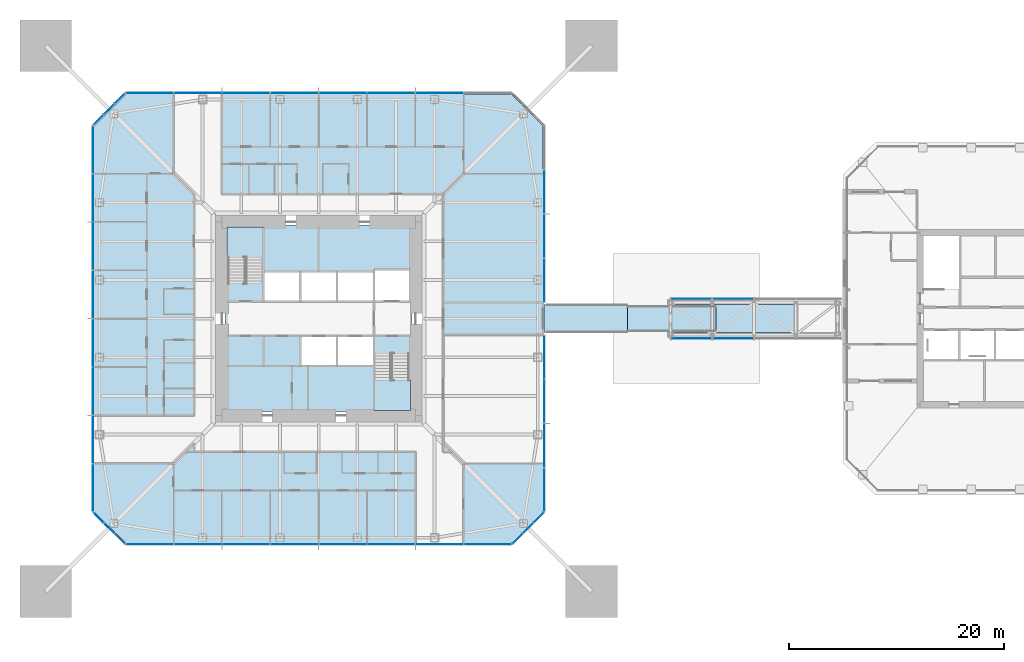
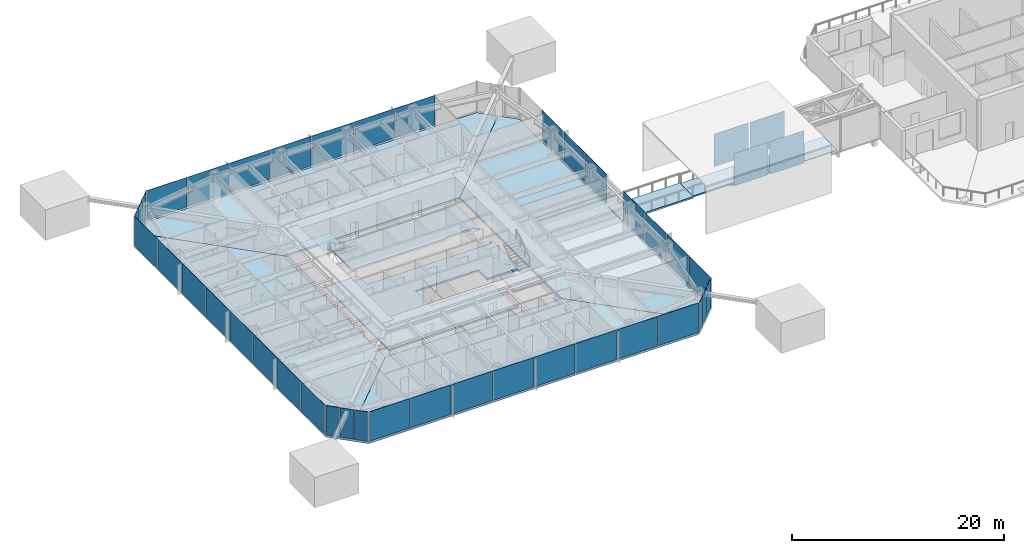
# One storey, part 10 of 23: 43 plates, 11 slabs, 14 elements without a shape of their own.
"""IFC4 building model written with IfcOpenShell, lengths in metres."""

from ifc_helpers import new_model, si_unit, direction, frame, origin, origin_2d, place, context, subcontext, project, spatial, polyline, rectangle, outline, extrude, material, layer, layer_set, constituent, constituent_set, type_object, element, aggregate, save


model = new_model("IFC4")

# Units and contexts
model_context = context("Model", 3, precision=1e-05, world=origin(), true_north=direction((0.0, 1.0)))
body_context = subcontext(model_context, "Body", "Model", "MODEL_VIEW")
ifc_project = project(units=[si_unit("LENGTHUNIT", "METRE"), si_unit("AREAUNIT", "SQUARE_METRE"), si_unit("VOLUMEUNIT", "CUBIC_METRE"), si_unit("PLANEANGLEUNIT", "RADIAN"), si_unit("MASSUNIT", "GRAM", prefix="KILO")], contexts=[model_context])

# Site, building, storey
site_placement = place(None, origin())
site = spatial("IfcSite", under=ifc_project, at=site_placement, CompositionType="ELEMENT")
building_placement = place(site_placement, origin())
building = spatial("IfcBuilding", under=site, at=building_placement, Name="Iwan Alto Co-Living Towers", CompositionType="ELEMENT")
storey_placement = place(building_placement, frame((0.0, 0.0, 129.5)))
storey = spatial("IfcBuildingStorey", under=building, at=storey_placement, Name="L35", CompositionType="ELEMENT", Elevation=129.5)

# Slabs
ifc_material_1 = material(Name="Steel ASTM A36", Category="steel")
ifc_layer_1 = layer(ifc_material_1, 0.050048828125)
ifc_layer_set_1 = layer_set([ifc_layer_1], Name="BRIDGE DECK RECESS PLATE 50")
slab_type_1 = type_object("IfcSlabType", Name="BRIDGE DECK RECESS PLATE 50", PredefinedType="FLOOR", material=ifc_layer_set_1)
slab_1_placement = place(storey_placement, frame((0.0, 0.0, -0.199951171875)))
element("IfcSlab", 1, at=slab_1_placement, inside=storey, type_object=slab_type_1, Name="Skybridge BR2 deck recess under the gangway", PredefinedType="FLOOR", context=body_context, shape_type="SweptSolid", body=[
    extrude(outline(polyline([(32.75, -1.300048828125), (44.41259765625, -1.300048828125), (44.41259765625, 1.300048828125), (32.75, 1.300048828125), (32.75, -1.300048828125)])), origin(), (0.0, 0.0, 1.0), 0.050048828125),
])
ifc_material_2 = material(Name="Steel ASTM A36 chequer plate", Category="steel")
ifc_layer_2 = layer(ifc_material_2, 0.010009765625, Name="Chequer plate finish", Category="Finish")
ifc_material_3 = material(Name="Steel ASTM A36", Category="steel")
ifc_layer_3 = layer(ifc_material_3, 0.139892578125, Name="Orthotropic plate deck", Category="LoadBearing")
ifc_layer_set_2 = layer_set([ifc_layer_2, ifc_layer_3], Name="BRIDGE JOINT GANGWAY 150")
slab_type_2 = type_object("IfcSlabType", Name="BRIDGE JOINT GANGWAY 150", PredefinedType="FLOOR", material=ifc_layer_set_2)
slab_2_placement = place(storey_placement, frame((0.0, 0.0, -0.14990234375)))
element("IfcSlab", 2, at=slab_2_placement, inside=storey, type_object=slab_type_2, Name="Skybridge BR2 joint gangway", PredefinedType="FLOOR", context=body_context, shape_type="SweptSolid", body=[
    extrude(outline(polyline([(28.75, -1.199951171875), (37.0, -1.199951171875), (37.0, 1.199951171875), (28.75, 1.199951171875), (28.75, -1.199951171875)])), origin(), (0.0, 0.0, 1.0), 0.14990234375),
])
ifc_material_4 = material(Name="Concrete f'c 30 MPa", Category="concrete")
ifc_layer_4 = layer(ifc_material_4, 0.199951171875)
ifc_layer_set_3 = layer_set([ifc_layer_4], Name="BRIDGE LANDING SLAB 200")
slab_type_3 = type_object("IfcSlabType", Name="BRIDGE LANDING SLAB 200", PredefinedType="FLOOR", material=ifc_layer_set_3)
slab_3_placement = place(storey_placement, frame((0.0, 0.0, -0.199951171875)))
element("IfcSlab", 3, at=slab_3_placement, inside=storey, type_object=slab_type_3, Name="Skybridge BR2 walkway and landing", PredefinedType="FLOOR", context=body_context, shape_type="SweptSolid", body=[
    extrude(outline(polyline([(21.0, -1.300048828125), (28.75, -1.300048828125), (28.75, 1.300048828125), (21.0, 1.300048828125), (21.0, -1.300048828125)])), origin(), (0.0, 0.0, 1.0), 0.199951171875),
])
ifc_material_5 = material(Name="Concrete f'c 30 MPa", Category="concrete")
ifc_layer_5 = layer(ifc_material_5, 0.199951171875)
ifc_layer_set_4 = layer_set([ifc_layer_5], Name="CORE FLOOR SLAB 200")
slab_type_4 = type_object("IfcSlabType", Name="CORE FLOOR SLAB 200", PredefinedType="FLOOR", material=ifc_layer_set_4)
slab_4_placement = place(storey_placement, frame((0.0, 0.0, -0.199951171875)))
element("IfcSlab", 4, at=slab_4_placement, inside=storey, type_object=slab_type_4, Name="T1 core floor L35", PredefinedType="FLOOR", context=body_context, shape_type="SweptSolid", body=[
    extrude(outline(polyline([(5.14990234375, -1.60009765625), (1.72509765625, -1.60009765625), (-1.699951171875, -1.60009765625), (-1.699951171875, -4.39990234375), (1.72509765625, -4.39990234375), (5.14990234375, -4.39990234375), (5.14990234375, -8.39990234375), (5.4599609375, -8.39990234375), (5.4599609375, -8.699951171875), (-8.699951171875, -8.699951171875), (-8.699951171875, 3.580078125), (-8.39990234375, 3.580078125), (-8.39990234375, 3.27001953125), (-5.14990234375, 3.27001953125), (-5.14990234375, 1.60009765625), (-1.717041015625, 1.60009765625), (1.717041015625, 1.60009765625), (5.14990234375, 1.60009765625), (8.39990234375, 1.60009765625), (8.39990234375, 1.909912109375), (8.699951171875, 1.909912109375), (8.699951171875, -3.580078125), (8.39990234375, -3.580078125), (8.39990234375, -3.27001953125), (5.14990234375, -3.27001953125), (5.14990234375, -1.60009765625)])), origin(), (0.0, 0.0, 1.0), 0.199951171875),
])
slab_5_placement = place(storey_placement, frame((0.0, 0.0, -0.199951171875)))
element("IfcSlab", 5, at=slab_5_placement, inside=storey, type_object=slab_type_4, Name="T1 core floor L35", PredefinedType="FLOOR", context=body_context, shape_type="SweptSolid", body=[
    extrude(outline(polyline([(1.717041015625, 4.39990234375), (-1.717041015625, 4.39990234375), (-5.14990234375, 4.39990234375), (-5.14990234375, 8.39990234375), (-5.4599609375, 8.39990234375), (-5.4599609375, 8.699951171875), (8.699951171875, 8.699951171875), (8.699951171875, 4.2900390625), (8.39990234375, 4.2900390625), (8.39990234375, 4.60009765625), (5.14990234375, 4.60009765625), (5.14990234375, 4.39990234375), (1.717041015625, 4.39990234375)])), origin(), (0.0, 0.0, 1.0), 0.199951171875),
])

# Curtain wall, plates
ifc_material_6 = material(Name="Bronze aluminium unitised frame", Category="aluminium")
curtain_wall_type_1 = type_object("IfcCurtainWallType", Name="CURTAIN WALL CW-A", PredefinedType="NOTDEFINED", material=ifc_material_6)
curtain_wall_1_placement = place(storey_placement, origin())
curtain_wall_1 = element("IfcCurtainWall", 6, at=curtain_wall_1_placement, inside=storey, type_object=curtain_wall_type_1, Name="T1 curtain wall S L35", PredefinedType="NOTDEFINED")
ifc_material_7 = material(Name="Bronze-tinted insulating glass", Category="glass")
ifc_layer_6 = layer(ifc_material_7, 0.031982421875)
ifc_layer_set_5 = layer_set([ifc_layer_6], Name="CW-A PANEL TINTED IGU 32")
plate_type_1 = type_object("IfcPlateType", Name="CW-A PANEL TINTED IGU 32", PredefinedType="CURTAIN_PANEL", material=ifc_layer_set_5)
plate_1_placement = place(storey_placement, frame((-15.72998046875, -21.0, 0.10009765625), z_axis=(0.0, 0.0, 1.0), x_axis=(1.0, 0.0, 0.0)))
plate_1 = element("IfcPlate", 7, at=plate_1_placement, type_object=plate_type_1, Name="CW-A panel 1.1", PredefinedType="CURTAIN_PANEL", context=body_context, shape_type="SweptSolid", body=[
    extrude(rectangle(XDim=4.3798828125, YDim=0.031982421875, at=origin_2d()), origin(), (0.0, 0.0, 1.0), 3.39990234375),
])
plate_2_placement = place(storey_placement, frame((-11.25, -21.0, 0.10009765625), z_axis=(0.0, 0.0, 1.0), x_axis=(1.0, 0.0, 0.0)))
plate_2 = element("IfcPlate", 8, at=plate_2_placement, type_object=plate_type_1, Name="CW-A panel 2.1", PredefinedType="CURTAIN_PANEL", context=body_context, shape_type="SweptSolid", body=[
    extrude(rectangle(XDim=4.419921875, YDim=0.031982421875, at=origin_2d()), origin(), (0.0, 0.0, 1.0), 3.39990234375),
])
plate_3_placement = place(storey_placement, frame((-6.75, -21.0, 0.10009765625), z_axis=(0.0, 0.0, 1.0), x_axis=(1.0, 0.0, 0.0)))
plate_3 = element("IfcPlate", 9, at=plate_3_placement, type_object=plate_type_1, Name="CW-A panel 3.1", PredefinedType="CURTAIN_PANEL", context=body_context, shape_type="SweptSolid", body=[
    extrude(rectangle(XDim=4.419921875, YDim=0.031982421875, at=origin_2d()), origin(), (0.0, 0.0, 1.0), 3.39990234375),
])
plate_4_placement = place(storey_placement, frame((-2.25, -21.0, 0.10009765625), z_axis=(0.0, 0.0, 1.0), x_axis=(1.0, 0.0, 0.0)))
plate_4 = element("IfcPlate", 10, at=plate_4_placement, type_object=plate_type_1, Name="CW-A panel 4.1", PredefinedType="CURTAIN_PANEL", context=body_context, shape_type="SweptSolid", body=[
    extrude(rectangle(XDim=4.419921875, YDim=0.031982421875, at=origin_2d()), origin(), (0.0, 0.0, 1.0), 3.39990234375),
])
plate_5_placement = place(storey_placement, frame((2.25, -21.0, 0.10009765625), z_axis=(0.0, 0.0, 1.0), x_axis=(1.0, 0.0, 0.0)))
plate_5 = element("IfcPlate", 11, at=plate_5_placement, type_object=plate_type_1, Name="CW-A panel 5.1", PredefinedType="CURTAIN_PANEL", context=body_context, shape_type="SweptSolid", body=[
    extrude(rectangle(XDim=4.419921875, YDim=0.031982421875, at=origin_2d()), origin(), (0.0, 0.0, 1.0), 3.39990234375),
])
plate_6_placement = place(storey_placement, frame((6.75, -21.0, 0.10009765625), z_axis=(0.0, 0.0, 1.0), x_axis=(1.0, 0.0, 0.0)))
plate_6 = element("IfcPlate", 12, at=plate_6_placement, type_object=plate_type_1, Name="CW-A panel 6.1", PredefinedType="CURTAIN_PANEL", context=body_context, shape_type="SweptSolid", body=[
    extrude(rectangle(XDim=4.419921875, YDim=0.031982421875, at=origin_2d()), origin(), (0.0, 0.0, 1.0), 3.39990234375),
])
plate_7_placement = place(storey_placement, frame((11.25, -21.0, 0.10009765625), z_axis=(0.0, 0.0, 1.0), x_axis=(1.0, 0.0, 0.0)))
plate_7 = element("IfcPlate", 13, at=plate_7_placement, type_object=plate_type_1, Name="CW-A panel 7.1", PredefinedType="CURTAIN_PANEL", context=body_context, shape_type="SweptSolid", body=[
    extrude(rectangle(XDim=4.419921875, YDim=0.031982421875, at=origin_2d()), origin(), (0.0, 0.0, 1.0), 3.39990234375),
])
plate_8_placement = place(storey_placement, frame((15.72998046875, -21.0, 0.10009765625), z_axis=(0.0, 0.0, 1.0), x_axis=(1.0, 0.0, 0.0)))
plate_8 = element("IfcPlate", 14, at=plate_8_placement, type_object=plate_type_1, Name="CW-A panel 8.1", PredefinedType="CURTAIN_PANEL", context=body_context, shape_type="SweptSolid", body=[
    extrude(rectangle(XDim=4.3798828125, YDim=0.031982421875, at=origin_2d()), origin(), (0.0, 0.0, 1.0), 3.39990234375),
])
aggregate(curtain_wall_1, [plate_1, plate_2, plate_3, plate_4, plate_5, plate_6, plate_7, plate_8])

curtain_wall_2_placement = place(storey_placement, origin())
curtain_wall_2 = element("IfcCurtainWall", 15, at=curtain_wall_2_placement, inside=storey, type_object=curtain_wall_type_1, Name="T1 curtain wall E L35 part 1", PredefinedType="NOTDEFINED")
plate_9_placement = place(storey_placement, frame((21.0, -15.91748046875, 0.10009765625), z_axis=(0.0, 0.0, 1.0), x_axis=(0.0, 1.0, 0.0)))
plate_9 = element("IfcPlate", 16, at=plate_9_placement, type_object=plate_type_1, Name="CW-A panel 1.1", PredefinedType="CURTAIN_PANEL", context=body_context, shape_type="SweptSolid", body=[
    extrude(rectangle(XDim=4.0048828125, YDim=0.031982421875, at=origin_2d()), origin(), (0.0, 0.0, 1.0), 3.39990234375),
])
plate_10_placement = place(storey_placement, frame((21.0, -11.8125, 0.10009765625), z_axis=(0.0, 0.0, 1.0), x_axis=(0.0, 1.0, 0.0)))
plate_10 = element("IfcPlate", 17, at=plate_10_placement, type_object=plate_type_1, Name="CW-A panel 2.1", PredefinedType="CURTAIN_PANEL", context=body_context, shape_type="SweptSolid", body=[
    extrude(rectangle(XDim=4.044921875, YDim=0.031982421875, at=origin_2d()), origin(), (0.0, 0.0, 1.0), 3.39990234375),
])
plate_11_placement = place(storey_placement, frame((21.0, -7.6875, 0.10009765625), z_axis=(0.0, 0.0, 1.0), x_axis=(0.0, 1.0, 0.0)))
plate_11 = element("IfcPlate", 18, at=plate_11_placement, type_object=plate_type_1, Name="CW-A panel 3.1", PredefinedType="CURTAIN_PANEL", context=body_context, shape_type="SweptSolid", body=[
    extrude(rectangle(XDim=4.044921875, YDim=0.031982421875, at=origin_2d()), origin(), (0.0, 0.0, 1.0), 3.39990234375),
])
plate_12_placement = place(storey_placement, frame((21.0, -3.58251953125, 0.10009765625), z_axis=(0.0, 0.0, 1.0), x_axis=(0.0, 1.0, 0.0)))
plate_12 = element("IfcPlate", 19, at=plate_12_placement, type_object=plate_type_1, Name="CW-A panel 4.1", PredefinedType="CURTAIN_PANEL", context=body_context, shape_type="SweptSolid", body=[
    extrude(rectangle(XDim=4.0048828125, YDim=0.031982421875, at=origin_2d()), origin(), (0.0, 0.0, 1.0), 3.39990234375),
])
aggregate(curtain_wall_2, [plate_9, plate_10, plate_11, plate_12])

curtain_wall_3_placement = place(storey_placement, origin())
curtain_wall_3 = element("IfcCurtainWall", 20, at=curtain_wall_3_placement, inside=storey, type_object=curtain_wall_type_1, Name="T1 curtain wall E L35 part 2", PredefinedType="NOTDEFINED")
plate_13_placement = place(storey_placement, frame((21.0, 3.58251953125, 0.10009765625), z_axis=(0.0, 0.0, 1.0), x_axis=(0.0, 1.0, 0.0)))
plate_13 = element("IfcPlate", 21, at=plate_13_placement, type_object=plate_type_1, Name="CW-A panel 1.1", PredefinedType="CURTAIN_PANEL", context=body_context, shape_type="SweptSolid", body=[
    extrude(rectangle(XDim=4.0048828125, YDim=0.031982421875, at=origin_2d()), origin(), (0.0, 0.0, 1.0), 3.39990234375),
])
plate_14_placement = place(storey_placement, frame((21.0, 7.6875, 0.10009765625), z_axis=(0.0, 0.0, 1.0), x_axis=(0.0, 1.0, 0.0)))
plate_14 = element("IfcPlate", 22, at=plate_14_placement, type_object=plate_type_1, Name="CW-A panel 2.1", PredefinedType="CURTAIN_PANEL", context=body_context, shape_type="SweptSolid", body=[
    extrude(rectangle(XDim=4.044921875, YDim=0.031982421875, at=origin_2d()), origin(), (0.0, 0.0, 1.0), 3.39990234375),
])
plate_15_placement = place(storey_placement, frame((21.0, 11.8125, 0.10009765625), z_axis=(0.0, 0.0, 1.0), x_axis=(0.0, 1.0, 0.0)))
plate_15 = element("IfcPlate", 23, at=plate_15_placement, type_object=plate_type_1, Name="CW-A panel 3.1", PredefinedType="CURTAIN_PANEL", context=body_context, shape_type="SweptSolid", body=[
    extrude(rectangle(XDim=4.044921875, YDim=0.031982421875, at=origin_2d()), origin(), (0.0, 0.0, 1.0), 3.39990234375),
])
aggregate(curtain_wall_3, [plate_13, plate_14, plate_15])

curtain_wall_4_placement = place(storey_placement, origin())
curtain_wall_4 = element("IfcCurtainWall", 24, at=curtain_wall_4_placement, inside=storey, type_object=curtain_wall_type_1, Name="T1 curtain wall N L35", PredefinedType="NOTDEFINED")
plate_16_placement = place(storey_placement, frame((11.25, 21.0, 0.10009765625), z_axis=(0.0, 0.0, 1.0), x_axis=(-1.0, 0.0, 0.0)))
plate_16 = element("IfcPlate", 25, at=plate_16_placement, type_object=plate_type_1, Name="CW-A panel 2.1", PredefinedType="CURTAIN_PANEL", context=body_context, shape_type="SweptSolid", body=[
    extrude(rectangle(XDim=4.419921875, YDim=0.031982421875, at=origin_2d()), origin(), (0.0, 0.0, 1.0), 3.39990234375),
])
plate_17_placement = place(storey_placement, frame((6.75, 21.0, 0.10009765625), z_axis=(0.0, 0.0, 1.0), x_axis=(-1.0, 0.0, 0.0)))
plate_17 = element("IfcPlate", 26, at=plate_17_placement, type_object=plate_type_1, Name="CW-A panel 3.1", PredefinedType="CURTAIN_PANEL", context=body_context, shape_type="SweptSolid", body=[
    extrude(rectangle(XDim=4.419921875, YDim=0.031982421875, at=origin_2d()), origin(), (0.0, 0.0, 1.0), 3.39990234375),
])
plate_18_placement = place(storey_placement, frame((2.25, 21.0, 0.10009765625), z_axis=(0.0, 0.0, 1.0), x_axis=(-1.0, 0.0, 0.0)))
plate_18 = element("IfcPlate", 27, at=plate_18_placement, type_object=plate_type_1, Name="CW-A panel 4.1", PredefinedType="CURTAIN_PANEL", context=body_context, shape_type="SweptSolid", body=[
    extrude(rectangle(XDim=4.419921875, YDim=0.031982421875, at=origin_2d()), origin(), (0.0, 0.0, 1.0), 3.39990234375),
])
plate_19_placement = place(storey_placement, frame((-2.25, 21.0, 0.10009765625), z_axis=(0.0, 0.0, 1.0), x_axis=(-1.0, 0.0, 0.0)))
plate_19 = element("IfcPlate", 28, at=plate_19_placement, type_object=plate_type_1, Name="CW-A panel 5.1", PredefinedType="CURTAIN_PANEL", context=body_context, shape_type="SweptSolid", body=[
    extrude(rectangle(XDim=4.419921875, YDim=0.031982421875, at=origin_2d()), origin(), (0.0, 0.0, 1.0), 3.39990234375),
])
plate_20_placement = place(storey_placement, frame((-6.75, 21.0, 0.10009765625), z_axis=(0.0, 0.0, 1.0), x_axis=(-1.0, 0.0, 0.0)))
plate_20 = element("IfcPlate", 29, at=plate_20_placement, type_object=plate_type_1, Name="CW-A panel 6.1", PredefinedType="CURTAIN_PANEL", context=body_context, shape_type="SweptSolid", body=[
    extrude(rectangle(XDim=4.419921875, YDim=0.031982421875, at=origin_2d()), origin(), (0.0, 0.0, 1.0), 3.39990234375),
])
plate_21_placement = place(storey_placement, frame((-11.25, 21.0, 0.10009765625), z_axis=(0.0, 0.0, 1.0), x_axis=(-1.0, 0.0, 0.0)))
plate_21 = element("IfcPlate", 30, at=plate_21_placement, type_object=plate_type_1, Name="CW-A panel 7.1", PredefinedType="CURTAIN_PANEL", context=body_context, shape_type="SweptSolid", body=[
    extrude(rectangle(XDim=4.419921875, YDim=0.031982421875, at=origin_2d()), origin(), (0.0, 0.0, 1.0), 3.39990234375),
])
plate_22_placement = place(storey_placement, frame((-15.72998046875, 21.0, 0.10009765625), z_axis=(0.0, 0.0, 1.0), x_axis=(-1.0, 0.0, 0.0)))
plate_22 = element("IfcPlate", 31, at=plate_22_placement, type_object=plate_type_1, Name="CW-A panel 8.1", PredefinedType="CURTAIN_PANEL", context=body_context, shape_type="SweptSolid", body=[
    extrude(rectangle(XDim=4.3798828125, YDim=0.031982421875, at=origin_2d()), origin(), (0.0, 0.0, 1.0), 3.39990234375),
])
aggregate(curtain_wall_4, [plate_16, plate_17, plate_18, plate_19, plate_20, plate_21, plate_22])

curtain_wall_5_placement = place(storey_placement, origin())
curtain_wall_5 = element("IfcCurtainWall", 32, at=curtain_wall_5_placement, inside=storey, type_object=curtain_wall_type_1, Name="T1 curtain wall W L35", PredefinedType="NOTDEFINED")
plate_23_placement = place(storey_placement, frame((-21.0, 15.72998046875, 0.10009765625), z_axis=(0.0, 0.0, 1.0), x_axis=(0.0, -1.0, 0.0)))
plate_23 = element("IfcPlate", 33, at=plate_23_placement, type_object=plate_type_1, Name="CW-A panel 1.1", PredefinedType="CURTAIN_PANEL", context=body_context, shape_type="SweptSolid", body=[
    extrude(rectangle(XDim=4.3798828125, YDim=0.031982421875, at=origin_2d()), origin(), (0.0, 0.0, 1.0), 3.39990234375),
])
plate_24_placement = place(storey_placement, frame((-21.0, 11.25, 0.10009765625), z_axis=(0.0, 0.0, 1.0), x_axis=(0.0, -1.0, 0.0)))
plate_24 = element("IfcPlate", 34, at=plate_24_placement, type_object=plate_type_1, Name="CW-A panel 2.1", PredefinedType="CURTAIN_PANEL", context=body_context, shape_type="SweptSolid", body=[
    extrude(rectangle(XDim=4.419921875, YDim=0.031982421875, at=origin_2d()), origin(), (0.0, 0.0, 1.0), 3.39990234375),
])
plate_25_placement = place(storey_placement, frame((-21.0, 6.75, 0.10009765625), z_axis=(0.0, 0.0, 1.0), x_axis=(0.0, -1.0, 0.0)))
plate_25 = element("IfcPlate", 35, at=plate_25_placement, type_object=plate_type_1, Name="CW-A panel 3.1", PredefinedType="CURTAIN_PANEL", context=body_context, shape_type="SweptSolid", body=[
    extrude(rectangle(XDim=4.419921875, YDim=0.031982421875, at=origin_2d()), origin(), (0.0, 0.0, 1.0), 3.39990234375),
])
plate_26_placement = place(storey_placement, frame((-21.0, 2.25, 0.10009765625), z_axis=(0.0, 0.0, 1.0), x_axis=(0.0, -1.0, 0.0)))
plate_26 = element("IfcPlate", 36, at=plate_26_placement, type_object=plate_type_1, Name="CW-A panel 4.1", PredefinedType="CURTAIN_PANEL", context=body_context, shape_type="SweptSolid", body=[
    extrude(rectangle(XDim=4.419921875, YDim=0.031982421875, at=origin_2d()), origin(), (0.0, 0.0, 1.0), 3.39990234375),
])
plate_27_placement = place(storey_placement, frame((-21.0, -2.25, 0.10009765625), z_axis=(0.0, 0.0, 1.0), x_axis=(0.0, -1.0, 0.0)))
plate_27 = element("IfcPlate", 37, at=plate_27_placement, type_object=plate_type_1, Name="CW-A panel 5.1", PredefinedType="CURTAIN_PANEL", context=body_context, shape_type="SweptSolid", body=[
    extrude(rectangle(XDim=4.419921875, YDim=0.031982421875, at=origin_2d()), origin(), (0.0, 0.0, 1.0), 3.39990234375),
])
plate_28_placement = place(storey_placement, frame((-21.0, -6.75, 0.10009765625), z_axis=(0.0, 0.0, 1.0), x_axis=(0.0, -1.0, 0.0)))
plate_28 = element("IfcPlate", 38, at=plate_28_placement, type_object=plate_type_1, Name="CW-A panel 6.1", PredefinedType="CURTAIN_PANEL", context=body_context, shape_type="SweptSolid", body=[
    extrude(rectangle(XDim=4.419921875, YDim=0.031982421875, at=origin_2d()), origin(), (0.0, 0.0, 1.0), 3.39990234375),
])
plate_29_placement = place(storey_placement, frame((-21.0, -11.25, 0.10009765625), z_axis=(0.0, 0.0, 1.0), x_axis=(0.0, -1.0, 0.0)))
plate_29 = element("IfcPlate", 39, at=plate_29_placement, type_object=plate_type_1, Name="CW-A panel 7.1", PredefinedType="CURTAIN_PANEL", context=body_context, shape_type="SweptSolid", body=[
    extrude(rectangle(XDim=4.419921875, YDim=0.031982421875, at=origin_2d()), origin(), (0.0, 0.0, 1.0), 3.39990234375),
])
plate_30_placement = place(storey_placement, frame((-21.0, -15.72998046875, 0.10009765625), z_axis=(0.0, 0.0, 1.0), x_axis=(0.0, -1.0, 0.0)))
plate_30 = element("IfcPlate", 40, at=plate_30_placement, type_object=plate_type_1, Name="CW-A panel 8.1", PredefinedType="CURTAIN_PANEL", context=body_context, shape_type="SweptSolid", body=[
    extrude(rectangle(XDim=4.3798828125, YDim=0.031982421875, at=origin_2d()), origin(), (0.0, 0.0, 1.0), 3.39990234375),
])
aggregate(curtain_wall_5, [plate_23, plate_24, plate_25, plate_26, plate_27, plate_28, plate_29, plate_30])

ifc_material_8 = material(Name="Bronze aluminium unitised frame", Category="aluminium")
curtain_wall_type_2 = type_object("IfcCurtainWallType", Name="CURTAIN WALL CW-B", PredefinedType="NOTDEFINED", material=ifc_material_8)
curtain_wall_6_placement = place(storey_placement, origin())
curtain_wall_6 = element("IfcCurtainWall", 41, at=curtain_wall_6_placement, inside=storey, type_object=curtain_wall_type_2, Name="T1 chamfer curtain wall SE L35", PredefinedType="NOTDEFINED")
ifc_material_9 = material(Name="Bronze-tinted insulating glass", Category="glass")
ifc_layer_7 = layer(ifc_material_9, 0.031982421875)
ifc_layer_set_6 = layer_set([ifc_layer_7], Name="CW-B PANEL TINTED IGU 32")
plate_type_2 = type_object("IfcPlateType", Name="CW-B PANEL TINTED IGU 32", PredefinedType="CURTAIN_PANEL", material=ifc_layer_set_6)
plate_31_placement = place(storey_placement, frame((18.51416015625, -20.48583984375, 0.10009765625), z_axis=(0.0, 0.0, 1.0), x_axis=(0.707106781187, 0.707106781187, 0.0)))
plate_31 = element("IfcPlate", 42, at=plate_31_placement, type_object=plate_type_2, Name="CW-B panel 1.1", PredefinedType="CURTAIN_PANEL", context=body_context, shape_type="SweptSolid", body=[
    extrude(rectangle(XDim=1.294189453125, YDim=0.031982421875, at=origin_2d()), origin(), (0.0, 0.0, 1.0), 3.39990234375),
])
plate_32_placement = place(storey_placement, frame((19.5, -19.5, 0.10009765625), z_axis=(0.0, 0.0, 1.0), x_axis=(0.707106781187, 0.707106781187, 0.0)))
plate_32 = element("IfcPlate", 43, at=plate_32_placement, type_object=plate_type_2, Name="CW-B panel 2.1", PredefinedType="CURTAIN_PANEL", context=body_context, shape_type="SweptSolid", body=[
    extrude(rectangle(XDim=1.334228515625, YDim=0.031982421875, at=origin_2d()), origin(), (0.0, 0.0, 1.0), 3.39990234375),
])
plate_33_placement = place(storey_placement, frame((20.48583984375, -18.51416015625, 0.10009765625), z_axis=(0.0, 0.0, 1.0), x_axis=(0.707106781187, 0.707106781187, 0.0)))
plate_33 = element("IfcPlate", 44, at=plate_33_placement, type_object=plate_type_2, Name="CW-B panel 3.1", PredefinedType="CURTAIN_PANEL", context=body_context, shape_type="SweptSolid", body=[
    extrude(rectangle(XDim=1.294189453125, YDim=0.031982421875, at=origin_2d()), origin(), (0.0, 0.0, 1.0), 3.39990234375),
])
aggregate(curtain_wall_6, [plate_31, plate_32, plate_33])

curtain_wall_7_placement = place(storey_placement, origin())
curtain_wall_7 = element("IfcCurtainWall", 45, at=curtain_wall_7_placement, inside=storey, type_object=curtain_wall_type_2, Name="T1 chamfer curtain wall NW L35", PredefinedType="NOTDEFINED")
plate_34_placement = place(storey_placement, frame((-18.51416015625, 20.48583984375, 0.10009765625), z_axis=(0.0, 0.0, 1.0), x_axis=(-0.707106781187, -0.707106781187, 0.0)))
plate_34 = element("IfcPlate", 46, at=plate_34_placement, type_object=plate_type_2, Name="CW-B panel 1.1", PredefinedType="CURTAIN_PANEL", context=body_context, shape_type="SweptSolid", body=[
    extrude(rectangle(XDim=1.294189453125, YDim=0.031982421875, at=origin_2d()), origin(), (0.0, 0.0, 1.0), 3.39990234375),
])
plate_35_placement = place(storey_placement, frame((-19.5, 19.5, 0.10009765625), z_axis=(0.0, 0.0, 1.0), x_axis=(-0.707106781187, -0.707106781187, 0.0)))
plate_35 = element("IfcPlate", 47, at=plate_35_placement, type_object=plate_type_2, Name="CW-B panel 2.1", PredefinedType="CURTAIN_PANEL", context=body_context, shape_type="SweptSolid", body=[
    extrude(rectangle(XDim=1.334228515625, YDim=0.031982421875, at=origin_2d()), origin(), (0.0, 0.0, 1.0), 3.39990234375),
])
plate_36_placement = place(storey_placement, frame((-20.48583984375, 18.51416015625, 0.10009765625), z_axis=(0.0, 0.0, 1.0), x_axis=(-0.707106781187, -0.707106781187, 0.0)))
plate_36 = element("IfcPlate", 48, at=plate_36_placement, type_object=plate_type_2, Name="CW-B panel 3.1", PredefinedType="CURTAIN_PANEL", context=body_context, shape_type="SweptSolid", body=[
    extrude(rectangle(XDim=1.294189453125, YDim=0.031982421875, at=origin_2d()), origin(), (0.0, 0.0, 1.0), 3.39990234375),
])
aggregate(curtain_wall_7, [plate_34, plate_35, plate_36])

curtain_wall_8_placement = place(storey_placement, origin())
curtain_wall_8 = element("IfcCurtainWall", 49, at=curtain_wall_8_placement, inside=storey, type_object=curtain_wall_type_2, Name="T1 chamfer curtain wall SW L35", PredefinedType="NOTDEFINED")
plate_37_placement = place(storey_placement, frame((-20.48583984375, -18.51416015625, 0.10009765625), z_axis=(0.0, 0.0, 1.0), x_axis=(0.707106781187, -0.707106781187, 0.0)))
plate_37 = element("IfcPlate", 50, at=plate_37_placement, type_object=plate_type_2, Name="CW-B panel 1.1", PredefinedType="CURTAIN_PANEL", context=body_context, shape_type="SweptSolid", body=[
    extrude(rectangle(XDim=1.294189453125, YDim=0.031982421875, at=origin_2d()), origin(), (0.0, 0.0, 1.0), 3.39990234375),
])
plate_38_placement = place(storey_placement, frame((-19.5, -19.5, 0.10009765625), z_axis=(0.0, 0.0, 1.0), x_axis=(0.707106781187, -0.707106781187, 0.0)))
plate_38 = element("IfcPlate", 51, at=plate_38_placement, type_object=plate_type_2, Name="CW-B panel 2.1", PredefinedType="CURTAIN_PANEL", context=body_context, shape_type="SweptSolid", body=[
    extrude(rectangle(XDim=1.334228515625, YDim=0.031982421875, at=origin_2d()), origin(), (0.0, 0.0, 1.0), 3.39990234375),
])
plate_39_placement = place(storey_placement, frame((-18.51416015625, -20.48583984375, 0.10009765625), z_axis=(0.0, 0.0, 1.0), x_axis=(0.707106781187, -0.707106781187, 0.0)))
plate_39 = element("IfcPlate", 52, at=plate_39_placement, type_object=plate_type_2, Name="CW-B panel 3.1", PredefinedType="CURTAIN_PANEL", context=body_context, shape_type="SweptSolid", body=[
    extrude(rectangle(XDim=1.294189453125, YDim=0.031982421875, at=origin_2d()), origin(), (0.0, 0.0, 1.0), 3.39990234375),
])
aggregate(curtain_wall_8, [plate_37, plate_38, plate_39])

# Curtain wall, plate
ifc_material_10 = material(Name="Bronze aluminium stick frame", Category="aluminium")
curtain_wall_type_3 = type_object("IfcCurtainWallType", Name="CURTAIN WALL CW-F", PredefinedType="NOTDEFINED", material=ifc_material_10)
curtain_wall_9_placement = place(storey_placement, origin())
curtain_wall_9 = element("IfcCurtainWall", 53, at=curtain_wall_9_placement, inside=storey, type_object=curtain_wall_type_3, Name="Skybridge BR2 glazing S 1", PredefinedType="NOTDEFINED")
ifc_material_11 = material(Name="Insulated bronze aluminium spandrel panel", Category="aluminium")
ifc_layer_8 = layer(ifc_material_11, 0.031982421875)
ifc_layer_set_7 = layer_set([ifc_layer_8], Name="CW-F SPANDREL PANEL 32")
plate_type_3 = type_object("IfcPlateType", Name="CW-F SPANDREL PANEL 32", PredefinedType="CURTAIN_PANEL", material=ifc_layer_set_7)
plate_40_placement = place(storey_placement, frame((34.69384765625, -1.85009765625, 0.10009765625), z_axis=(0.0, 0.0, 1.0), x_axis=(1.0, 0.0, 0.0)))
plate_40 = element("IfcPlate", 54, at=plate_40_placement, type_object=plate_type_3, Name="CW-F spandrel panel 1.1 (braced bay)", PredefinedType="CURTAIN_PANEL", context=body_context, shape_type="SweptSolid", body=[
    extrude(rectangle(XDim=3.7275390625, YDim=0.031982421875, at=origin_2d()), origin(), (0.0, 0.0, 1.0), 3.75),
])
aggregate(curtain_wall_9, [plate_40])

curtain_wall_10_placement = place(storey_placement, origin())
curtain_wall_10 = element("IfcCurtainWall", 55, at=curtain_wall_10_placement, inside=storey, type_object=curtain_wall_type_3, Name="Skybridge BR2 glazing S 2", PredefinedType="NOTDEFINED")
plate_41_placement = place(storey_placement, frame((38.581298828125, -1.85009765625, 0.10009765625), z_axis=(0.0, 0.0, 1.0), x_axis=(1.0, 0.0, 0.0)))
plate_41 = element("IfcPlate", 56, at=plate_41_placement, type_object=plate_type_3, Name="CW-F spandrel panel 1.1 (braced bay)", PredefinedType="CURTAIN_PANEL", context=body_context, shape_type="SweptSolid", body=[
    extrude(rectangle(XDim=3.7275390625, YDim=0.031982421875, at=origin_2d()), origin(), (0.0, 0.0, 1.0), 3.75),
])
aggregate(curtain_wall_10, [plate_41])

curtain_wall_11_placement = place(storey_placement, origin())
curtain_wall_11 = element("IfcCurtainWall", 57, at=curtain_wall_11_placement, inside=storey, type_object=curtain_wall_type_3, Name="Skybridge BR2 glazing N 1", PredefinedType="NOTDEFINED")
plate_42_placement = place(storey_placement, frame((34.69384765625, 1.85009765625, 0.10009765625), z_axis=(0.0, 0.0, 1.0), x_axis=(-1.0, 0.0, 0.0)))
plate_42 = element("IfcPlate", 58, at=plate_42_placement, type_object=plate_type_3, Name="CW-F spandrel panel 1.1 (braced bay)", PredefinedType="CURTAIN_PANEL", context=body_context, shape_type="SweptSolid", body=[
    extrude(rectangle(XDim=3.7275390625, YDim=0.031982421875, at=origin_2d()), origin(), (0.0, 0.0, 1.0), 3.75),
])
aggregate(curtain_wall_11, [plate_42])

curtain_wall_12_placement = place(storey_placement, origin())
curtain_wall_12 = element("IfcCurtainWall", 59, at=curtain_wall_12_placement, inside=storey, type_object=curtain_wall_type_3, Name="Skybridge BR2 glazing N 2", PredefinedType="NOTDEFINED")
plate_43_placement = place(storey_placement, frame((38.581298828125, 1.85009765625, 0.10009765625), z_axis=(0.0, 0.0, 1.0), x_axis=(-1.0, 0.0, 0.0)))
plate_43 = element("IfcPlate", 60, at=plate_43_placement, type_object=plate_type_3, Name="CW-F spandrel panel 1.1 (braced bay)", PredefinedType="CURTAIN_PANEL", context=body_context, shape_type="SweptSolid", body=[
    extrude(rectangle(XDim=3.7275390625, YDim=0.031982421875, at=origin_2d()), origin(), (0.0, 0.0, 1.0), 3.75),
])
aggregate(curtain_wall_12, [plate_43])

# Stair, slab
ifc_constituent_1 = constituent(ifc_material_3, Name="Stringers", Category="LoadBearing")
ifc_material_12 = material(Name="Concrete f'c 30 MPa", Category="concrete")
ifc_constituent_2 = constituent(ifc_material_12, Name="Tread fill", Category="Finish")
ifc_constituent_set = constituent_set(constituents=[ifc_constituent_1, ifc_constituent_2], Name="STAIR 3500 TWO-FLIGHT T1 CORE")
stair_type = type_object("IfcStairType", Name="STAIR 3500 TWO-FLIGHT T1 CORE", PredefinedType="HALF_TURN_STAIR", material=ifc_constituent_set)
stair_1_placement = place(storey_placement, origin())
stair_1 = element("IfcStair", 61, at=stair_1_placement, inside=storey, type_object=stair_type, Name="Stair T1-S1 L35 to L36", PredefinedType="HALF_TURN_STAIR")
ifc_material_13 = material(Name="Concrete f'c 30 MPa", Category="concrete")
ifc_layer_9 = layer(ifc_material_13, 0.199951171875)
ifc_layer_set_8 = layer_set([ifc_layer_9], Name="STAIR LANDING 200")
slab_type_5 = type_object("IfcSlabType", Name="STAIR LANDING 200", PredefinedType="LANDING", material=ifc_layer_set_8)
slab_6_placement = place(storey_placement, frame((0.0, 0.0, 1.550048828125)))
slab_6 = element("IfcSlab", 62, at=slab_6_placement, type_object=slab_type_5, Name="T1-S1 landing 1", PredefinedType="LANDING", context=body_context, shape_type="SweptSolid", body=[
    extrude(outline(polyline([(-8.550048828125, 5.68994140625), (-8.550048828125, 8.550048828125), (-5.14990234375, 8.550048828125), (-5.14990234375, 5.68994140625), (-8.550048828125, 5.68994140625)])), origin(), (0.0, 0.0, 1.0), 0.199951171875),
])
aggregate(stair_1, [slab_6])

stair_2_placement = place(storey_placement, origin())
stair_2 = element("IfcStair", 63, at=stair_2_placement, inside=storey, type_object=stair_type, Name="Stair T1-S2 L35 to L36", PredefinedType="HALF_TURN_STAIR")
slab_7_placement = place(storey_placement, frame((0.0, 0.0, 1.550048828125)))
slab_7 = element("IfcSlab", 64, at=slab_7_placement, type_object=slab_type_5, Name="T1-S2 landing 1", PredefinedType="LANDING", context=body_context, shape_type="SweptSolid", body=[
    extrude(outline(polyline([(5.14990234375, -5.68994140625), (5.14990234375, -8.550048828125), (8.550048828125, -8.550048828125), (8.550048828125, -5.68994140625), (5.14990234375, -5.68994140625)])), origin(), (0.0, 0.0, 1.0), 0.199951171875),
])
aggregate(stair_2, [slab_7])

# Slabs
ifc_material_14 = material(Name="Concrete f'c 30 MPa", Category="concrete")
ifc_layer_10 = layer(ifc_material_14, 0.22998046875)
ifc_layer_set_9 = layer_set([ifc_layer_10], Name="T1 FLOOR SLAB 230")
slab_type_6 = type_object("IfcSlabType", Name="T1 FLOOR SLAB 230", PredefinedType="FLOOR", material=ifc_layer_set_9)
slab_8_placement = place(storey_placement, frame((0.0, 0.0, -0.22998046875)))
element("IfcSlab", 65, at=slab_8_placement, inside=storey, type_object=slab_type_6, Name="T1 floor slab L35 S pour", PredefinedType="FLOOR", context=body_context, shape_type="SweptSolid", body=[
    extrude(outline(polyline([(17.94140625, -20.89990234375), (-17.94140625, -20.89990234375), (-19.420654296875, -19.420654296875), (-9.60009765625, -9.60009765625), (9.60009765625, -9.60009765625), (19.420654296875, -19.420654296875), (17.94140625, -20.89990234375)])), origin(), (0.0, 0.0, 1.0), 0.22998046875),
])
slab_9_placement = place(storey_placement, frame((0.0, 0.0, -0.22998046875)))
element("IfcSlab", 66, at=slab_9_placement, inside=storey, type_object=slab_type_6, Name="T1 floor slab L35 E pour", PredefinedType="FLOOR", context=body_context, shape_type="SweptSolid", body=[
    extrude(outline(polyline([(20.89990234375, 17.94140625), (20.89990234375, -17.94140625), (19.420654296875, -19.420654296875), (9.60009765625, -9.60009765625), (9.60009765625, 9.60009765625), (19.420654296875, 19.420654296875), (20.89990234375, 17.94140625)])), origin(), (0.0, 0.0, 1.0), 0.22998046875),
])
slab_10_placement = place(storey_placement, frame((0.0, 0.0, -0.22998046875)))
element("IfcSlab", 67, at=slab_10_placement, inside=storey, type_object=slab_type_6, Name="T1 floor slab L35 N pour", PredefinedType="FLOOR", context=body_context, shape_type="SweptSolid", body=[
    extrude(outline(polyline([(-17.94140625, 20.89990234375), (17.94140625, 20.89990234375), (19.420654296875, 19.420654296875), (9.60009765625, 9.60009765625), (-9.60009765625, 9.60009765625), (-19.420654296875, 19.420654296875), (-17.94140625, 20.89990234375)])), origin(), (0.0, 0.0, 1.0), 0.22998046875),
])
slab_11_placement = place(storey_placement, frame((0.0, 0.0, -0.22998046875)))
element("IfcSlab", 68, at=slab_11_placement, inside=storey, type_object=slab_type_6, Name="T1 floor slab L35 W pour", PredefinedType="FLOOR", context=body_context, shape_type="SweptSolid", body=[
    extrude(outline(polyline([(-20.89990234375, 17.94140625), (-19.420654296875, 19.420654296875), (-9.60009765625, 9.60009765625), (-9.60009765625, -9.60009765625), (-19.420654296875, -19.420654296875), (-20.89990234375, -17.94140625), (-20.89990234375, 17.94140625)])), origin(), (0.0, 0.0, 1.0), 0.22998046875),
])

save(model, "model.ifc")
